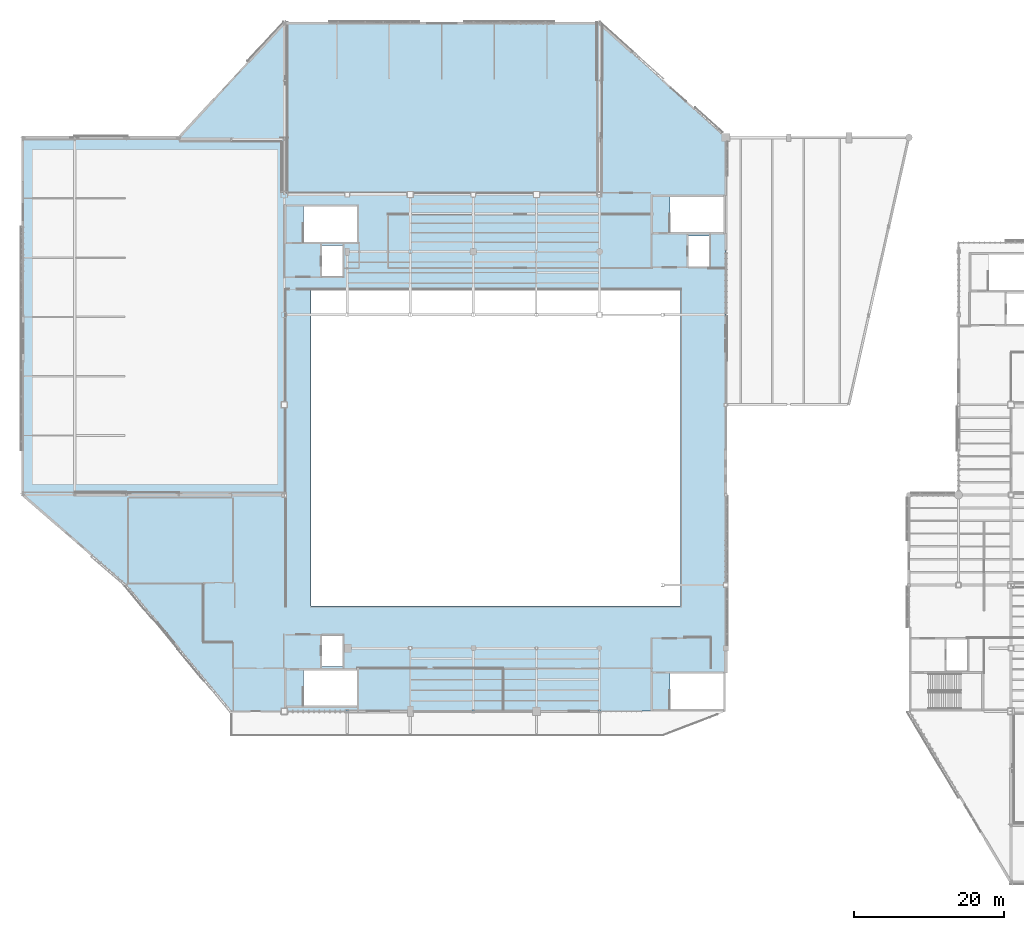
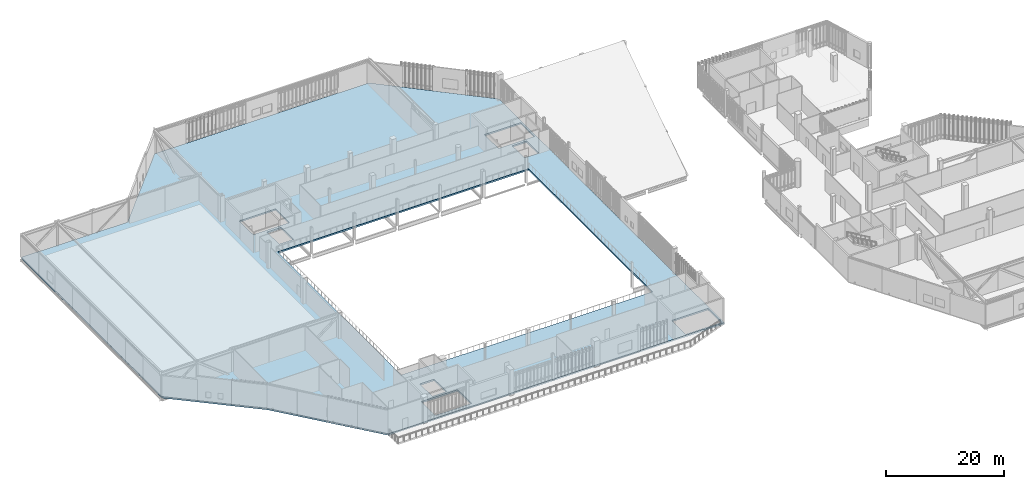
# One storey, part 79 of 135: 1 slab.
"""IFC4 building model written with IfcOpenShell, lengths in metres."""

import ifcopenshell
import ifcopenshell.guid

model = None  # the IFC model being written
_history = None  # IfcOwnerHistory: only IFC2X3 demands one
_inside = {}  # id of a spatial element -> (the spatial element, [elements in it])
_under = {}  # id of a project, library or spatial element -> (it, [spatial elements below it])
_declared = {}  # id of a project -> (the project, [libraries it declares])
_typed = {}  # id of a type object -> (the type object, [elements of that type])
_made_of = {}  # id of a material, layer set ... -> (it, [elements and type objects made of it])


def new_model(schema):
    """Start an empty IFC model of exactly this schema.

    Asked for "IFC4X3", IfcOpenShell would pick the latest addendum, in which some entities
    have other attributes; the version numbers below select the first issue.
    IFC2X3 requires an IfcOwnerHistory on every rooted entity: one is made here for all.
    """
    global model, _history
    if schema == "IFC4X3":
        model = ifcopenshell.file(schema_version=(4, 3, 0, 0))
    else:
        model = ifcopenshell.file(schema=schema)
    _inside.clear()
    _under.clear()
    _declared.clear()
    _typed.clear()
    _made_of.clear()
    _history = None
    if model.schema == "IFC2X3":
        org = make("IfcOrganization", Name="unknown")
        user = make(
            "IfcPersonAndOrganization",
            ThePerson=make("IfcPerson", FamilyName="unknown"),
            TheOrganization=org,
        )
        app = make(
            "IfcApplication",
            ApplicationDeveloper=org,
            Version="unknown",
            ApplicationFullName="unknown",
            ApplicationIdentifier="unknown",
        )
        _history = make(
            "IfcOwnerHistory",
            OwningUser=user,
            OwningApplication=app,
            ChangeAction="ADDED",
            CreationDate=0,
        )
    return model


def make(cls, **values):
    """One entity of the class cls with the attributes given. An attribute that is None is left unset."""
    return model.create_entity(
        cls, **{name: value for name, value in values.items() if value is not None}
    )


def rooted(cls, **values):
    """An entity with a GlobalId (a new one), such as an element, a storey or a relation."""
    return make(cls, GlobalId=ifcopenshell.guid.new(), OwnerHistory=_history, **values)


def si_unit(unit_type, name, prefix=None):
    """IfcSIUnit, for example si_unit("LENGTHUNIT", "METRE", prefix="MILLI")."""
    return make("IfcSIUnit", UnitType=unit_type, Prefix=prefix, Name=name)


def assignment(units):
    """IfcUnitAssignment: the units of a project."""
    return None if units is None else make("IfcUnitAssignment", Units=units)


def point(xyz):
    """IfcCartesianPoint."""
    return None if xyz is None else make("IfcCartesianPoint", Coordinates=xyz)


def direction(xyz):
    """IfcDirection."""
    return None if xyz is None else make("IfcDirection", DirectionRatios=xyz)


def frame(location, z_axis=None, x_axis=None):
    """IfcAxis2Placement3D, a coordinate frame: its origin and axes. An axis left out is left unset."""
    return make(
        "IfcAxis2Placement3D",
        Location=point(location),
        Axis=direction(z_axis),
        RefDirection=direction(x_axis),
    )


def origin():
    """The frame at (0, 0, 0) with its axes left unset."""
    return frame((0.0, 0.0, 0.0))


def place(relative_to, where):
    """IfcLocalPlacement: puts the frame where relative to a parent placement (None: the world)."""
    return make(
        "IfcLocalPlacement", PlacementRelTo=relative_to, RelativePlacement=where
    )


def context(
    kind, dimensions, precision=None, world=None, true_north=None, identifier=None
):
    """IfcGeometricRepresentationContext, for example the 3D "Model" context."""
    return make(
        "IfcGeometricRepresentationContext",
        ContextIdentifier=identifier,
        ContextType=kind,
        CoordinateSpaceDimension=dimensions,
        Precision=precision,
        WorldCoordinateSystem=world,
        TrueNorth=true_north,
    )


def subcontext(parent, identifier, kind, view, scale=None):
    """IfcGeometricRepresentationSubContext, for example "Body" below "Model"."""
    return make(
        "IfcGeometricRepresentationSubContext",
        ContextIdentifier=identifier,
        ContextType=kind,
        ParentContext=parent,
        TargetScale=scale,
        TargetView=view,
    )


def project(units=None, contexts=None):
    """IfcProject with its units and contexts."""
    return rooted(
        "IfcProject",
        Name="project",
        RepresentationContexts=contexts,
        UnitsInContext=assignment(units),
    )


def spatial(cls, under=None, at=None, **own):
    """A site, building, storey or space (cls), placed at a placement, below another one or the project."""
    s = rooted(cls, ObjectPlacement=at, **own)
    if under is not None:
        _under.setdefault(under.id(), (under, []))[1].append(s)
    return s


def polyline(points):
    """IfcPolyline through the points."""
    return make("IfcPolyline", Points=[point(p) for p in points])


def outline(outer, holes=None, kind="AREA"):
    """IfcArbitraryClosedProfileDef: a profile drawn as a closed curve; with holes, ...WithVoids."""
    if holes is None:
        return make("IfcArbitraryClosedProfileDef", ProfileType=kind, OuterCurve=outer)
    return make(
        "IfcArbitraryProfileDefWithVoids",
        ProfileType=kind,
        OuterCurve=outer,
        InnerCurves=holes,
    )


def extrude(swept, where, along, depth):
    """IfcExtrudedAreaSolid: the profile swept, set in the frame where, extruded along a direction by depth."""
    return make(
        "IfcExtrudedAreaSolid",
        SweptArea=swept,
        Position=where,
        ExtrudedDirection=direction(along),
        Depth=depth,
    )


def shape(context_of_items, identifier, shape_type, items):
    """IfcShapeRepresentation: the items that make up one representation, for example the "Body"."""
    return make(
        "IfcShapeRepresentation",
        ContextOfItems=context_of_items,
        RepresentationIdentifier=identifier,
        RepresentationType=shape_type,
        Items=items,
    )


def material(Name=None, Category=None):
    """IfcMaterial."""
    return make("IfcMaterial", Name=Name, Category=Category)


def layer(
    of_material, thickness, ventilated=None, Name=None, Category=None, Priority=None
):
    """IfcMaterialLayer: one layer of a wall or slab, of a material (None: an air gap)."""
    return make(
        "IfcMaterialLayer",
        Material=of_material,
        LayerThickness=thickness,
        IsVentilated=ventilated,
        Name=Name,
        Category=Category,
        Priority=Priority,
    )


def layer_set(layers, Name=None):
    """IfcMaterialLayerSet."""
    return make("IfcMaterialLayerSet", MaterialLayers=layers, LayerSetName=Name)


def made_of(thing, what):
    """Note that an element or type object is made of a material, layer set ...; save() writes the relation."""
    if what is not None:
        _made_of.setdefault(what.id(), (what, []))[1].append(thing)
    return thing


def type_object(cls, material=None, **own):
    """A type object (cls), such as IfcWallType, which elements share."""
    return made_of(rooted(cls, **own), material)


def element(
    cls,
    number,
    at=None,
    inside=None,
    cuts=None,
    type_object=None,
    material=None,
    context=None,
    identifier="Body",
    shape_type=None,
    held_by="IfcProductDefinitionShape",
    body=None,
    shapes=None,
    **own,
):
    """One element of the class cls, such as IfcWall. Its Tag is "e" and its number.

    at: its placement. inside: the storey or other place that contains it. cuts: it is an
    opening in that element (IfcRelVoidsElement). A single representation is given by context,
    identifier, shape_type and body (its items); several are given by shapes. held_by: the class
    of the entity that holds the representations. save() writes the other relations.
    """
    e = rooted(cls, Tag="e%d" % number, ObjectPlacement=at, **own)
    if body is not None:
        shapes = [shape(context, identifier, shape_type, body)]
    if shapes is not None:
        e.Representation = make(held_by, Representations=shapes)
    if inside is not None:
        _inside.setdefault(inside.id(), (inside, []))[1].append(e)
    if cuts is not None:
        rooted(
            "IfcRelVoidsElement", RelatingBuildingElement=cuts, RelatedOpeningElement=e
        )
    if type_object is not None:
        _typed.setdefault(type_object.id(), (type_object, []))[1].append(e)
    return made_of(e, material)


def aggregate(whole, parts):
    """IfcRelAggregates: a whole, such as a stair, and the parts it consists of."""
    return rooted("IfcRelAggregates", RelatingObject=whole, RelatedObjects=parts)


def save(model, path):
    """Write the relations noted so far, then the file.

    IfcRelAggregates (storeys below a building ...), IfcRelContainedInSpatialStructure (elements
    in a storey), IfcRelDefinesByType, IfcRelAssociatesMaterial and IfcRelDeclares: one each for
    every whole, place, type object, material and project.
    """
    for whole, parts in _under.values():
        aggregate(whole, parts)
    for where, things in _inside.values():
        rooted(
            "IfcRelContainedInSpatialStructure",
            RelatedElements=things,
            RelatingStructure=where,
        )
    for kind, things in _typed.values():
        rooted("IfcRelDefinesByType", RelatedObjects=things, RelatingType=kind)
    for what, things in _made_of.values():
        rooted("IfcRelAssociatesMaterial", RelatedObjects=things, RelatingMaterial=what)
    for by, libraries in _declared.values():
        rooted("IfcRelDeclares", RelatingContext=by, RelatedDefinitions=libraries)
    model.write(path)


model = new_model("IFC4")

# Units and contexts
model_context = context("Model", 3, precision=1e-05, world=origin(), true_north=direction((0.0, 1.0)))
body_context = subcontext(model_context, "Body", "Model", "MODEL_VIEW")
ifc_project = project(units=[si_unit("LENGTHUNIT", "METRE"), si_unit("AREAUNIT", "SQUARE_METRE"), si_unit("VOLUMEUNIT", "CUBIC_METRE"), si_unit("PLANEANGLEUNIT", "RADIAN"), si_unit("MASSUNIT", "GRAM", prefix="KILO")], contexts=[model_context])

# Site, building, storey
site_placement = place(None, origin())
site = spatial("IfcSite", under=ifc_project, at=site_placement, CompositionType="ELEMENT")
building_placement = place(site_placement, origin())
building = spatial("IfcBuilding", under=site, at=building_placement, Name="Larkvane Passage Sports Hall", CompositionType="ELEMENT")
storey_placement = place(building_placement, frame((0.0, 0.0, 16.800048828125)))
storey = spatial("IfcBuildingStorey", under=building, at=storey_placement, Name="L03", CompositionType="ELEMENT", Elevation=16.800048828125)

# Slab
ifc_material = material(Name="Concrete C50/60", Category="concrete")
ifc_layer = layer(ifc_material, 0.320068359375)
ifc_layer_set = layer_set([ifc_layer], Name="Concrete C50/60")
slab_type = type_object("IfcSlabType", Name="SLB-FLR-320", PredefinedType="FLOOR", material=ifc_layer_set)
slab_placement = place(storey_placement, frame((0.0, 0.0, -0.320068359375)))
element("IfcSlab", 1, at=slab_placement, inside=storey, type_object=slab_type, Name="Structural floor slab SLAB-L03-ARENA-GAL", PredefinedType="FLOOR", context=body_context, shape_type="SweptSolid", body=[
    extrude(outline(polyline([(0.0, 51.60009765625), (13.800048828125, 39.60009765625), (27.800048828125, 22.800048828125), (93.60009765625, 22.800048828125), (93.60009765625, 99.199951171875), (76.800048828125, 114.39990234375), (34.800048828125, 114.39990234375), (20.800048828125, 99.199951171875), (0.0, 99.199951171875), (0.0, 51.60009765625)]), holes=[polyline([(37.380615234375, 28.25), (44.5, 28.25), (44.5, 23.550048828125), (37.380615234375, 23.550048828125), (37.380615234375, 28.25)]), polyline([(37.380615234375, 90.0), (44.5, 90.0), (44.5, 85.300048828125), (37.380615234375, 85.300048828125), (37.380615234375, 90.0)]), polyline([(86.180419921875, 91.300048828125), (93.300048828125, 91.300048828125), (93.300048828125, 86.60009765625), (86.180419921875, 86.60009765625), (86.180419921875, 91.300048828125)]), polyline([(86.180419921875, 27.800048828125), (93.300048828125, 27.800048828125), (93.300048828125, 23.10009765625), (86.180419921875, 23.10009765625), (86.180419921875, 27.800048828125)]), polyline([(39.800048828125, 32.89990234375), (42.60009765625, 32.89990234375), (42.60009765625, 28.75), (39.800048828125, 28.75), (39.800048828125, 32.89990234375)]), polyline([(39.800048828125, 84.800048828125), (42.60009765625, 84.800048828125), (42.60009765625, 80.699951171875), (39.800048828125, 80.699951171875), (39.800048828125, 84.800048828125)]), polyline([(88.60009765625, 86.10009765625), (91.39990234375, 86.10009765625), (91.39990234375, 82.0), (88.60009765625, 82.0), (88.60009765625, 86.10009765625)]), polyline([(38.39990234375, 78.800048828125), (87.60009765625, 78.800048828125), (87.60009765625, 36.800048828125), (38.39990234375, 36.800048828125), (38.39990234375, 78.800048828125)])]), origin(), (0.0, 0.0, 1.0), 0.320068359375),
])

save(model, "model.ifc")
